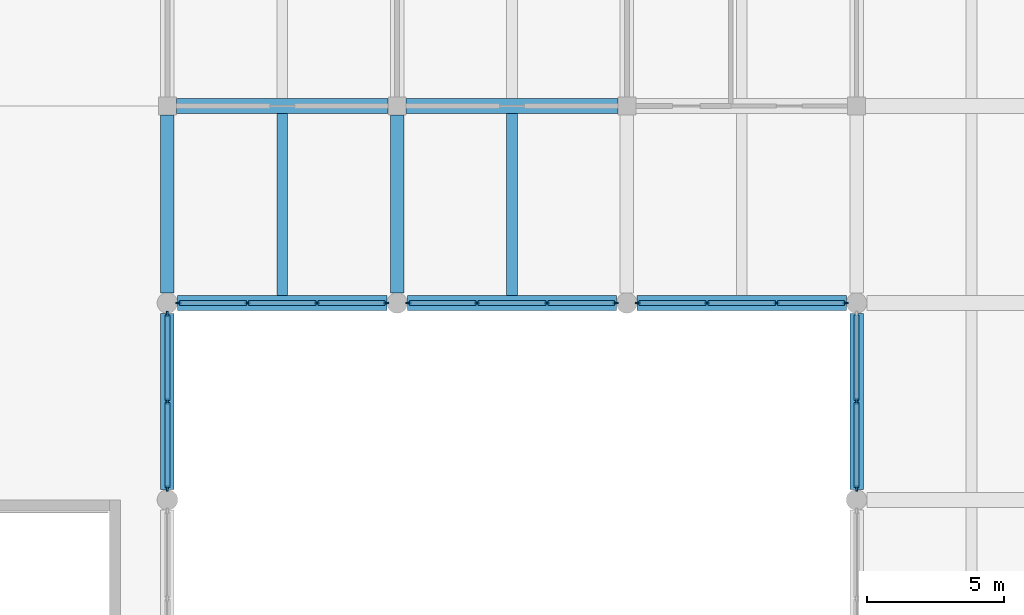
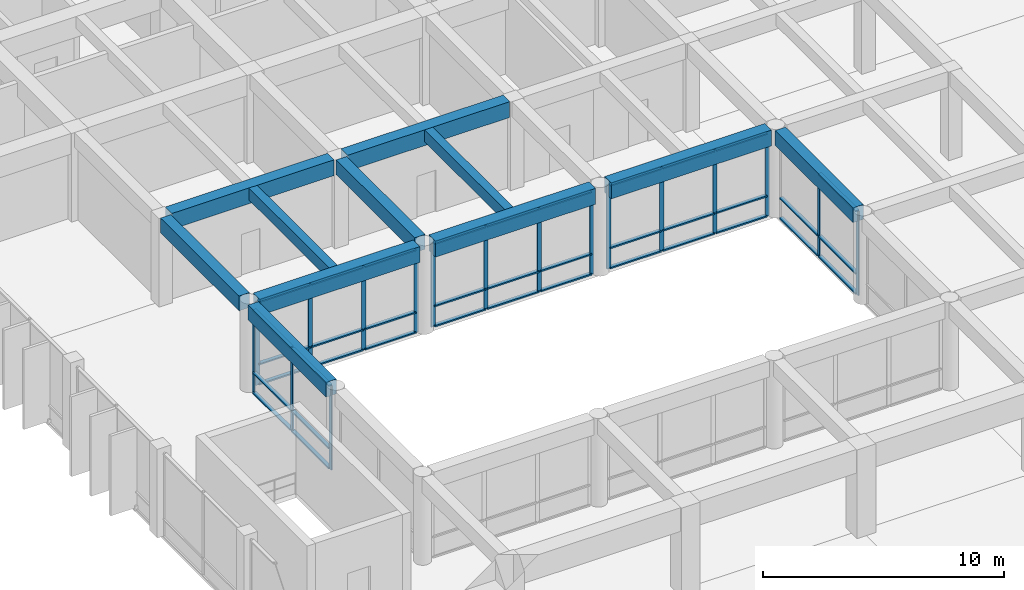
# One storey, part 17 of 40: 55 members, 11 beams, 5 elements without a shape of their own.
"""IFC4 building model written with IfcOpenShell, lengths in metres."""

from ifc_helpers import new_model, si_unit, direction, frame, origin, origin_2d, place, context, subcontext, project, spatial, rectangle, extrude, material, material_profile, profile_set, type_object, element, aggregate, save


model = new_model("IFC4")

# Units and contexts
model_context = context("Model", 3, precision=1e-05, world=origin(), true_north=direction((0.0, 1.0)))
body_context = subcontext(model_context, "Body", "Model", "MODEL_VIEW")
ifc_project = project(units=[si_unit("LENGTHUNIT", "METRE"), si_unit("AREAUNIT", "SQUARE_METRE"), si_unit("VOLUMEUNIT", "CUBIC_METRE"), si_unit("PLANEANGLEUNIT", "RADIAN"), si_unit("MASSUNIT", "GRAM", prefix="KILO")], contexts=[model_context])

# Site, building, storey
site_placement = place(None, origin())
site = spatial("IfcSite", under=ifc_project, at=site_placement, CompositionType="ELEMENT")
building_placement = place(site_placement, origin())
building = spatial("IfcBuilding", under=site, at=building_placement, Name="Kenerak Square Central Library", CompositionType="ELEMENT")
storey_placement = place(building_placement, frame((0.0, 0.0, 14.39990234375)))
storey = spatial("IfcBuildingStorey", under=building, at=storey_placement, Name="L03", CompositionType="ELEMENT", Elevation=14.39990234375)

# Curtain wall, members
ifc_material_1 = material(Name="Intumescent fire-resisting glazing EI 60", Category="glass")
curtain_wall_type_1 = type_object("IfcCurtainWallType", Name="Curtain Wall CW-AT60-64x42 6450x4230", PredefinedType="USERDEFINED", material=ifc_material_1)
curtain_wall_1_placement = place(storey_placement, origin())
curtain_wall_1 = element("IfcCurtainWall", 1, at=curtain_wall_1_placement, inside=storey, type_object=curtain_wall_type_1, Name="Atrium Fire-Rated Glazed Screen CW-AT60-64x42 L03 0171", ObjectType="CURTAIN WALL", PredefinedType="USERDEFINED")
ifc_material_2 = material(Name="Anodised aluminium 6063-T6", Category="aluminium")
ifc_material_profile_1 = material_profile(ifc_material_2, rectangle(XDim=0.070068359375, YDim=0.199951171875, at=origin_2d()), Name="AL MULLION 70x200")
ifc_profile_set_1 = profile_set([ifc_material_profile_1], Name="Anodised aluminium 6063-T6")
member_type_1 = type_object("IfcMemberType", Name="Fire-Rated Glazing Mullion CM-05 70x200", PredefinedType="MULLION", material=ifc_profile_set_1)
member_1_placement = place(storey_placement, frame((100.39990234375, 67.610107421875, 0.0), z_axis=(0.0, 0.0, 1.0), x_axis=(-1.0, 0.0, 0.0)))
member_1 = element("IfcMember", 2, at=member_1_placement, type_object=member_type_1, Name="CW-AT60-64x42 Mullion 1", PredefinedType="MULLION", context=body_context, shape_type="SweptSolid", body=[
    extrude(rectangle(XDim=0.070068359375, YDim=0.199951171875, at=origin_2d()), origin(), (0.0, 0.0, 1.0), 4.22998046875),
])
member_2_placement = place(storey_placement, frame((100.39990234375, 70.800048828125, 0.0), z_axis=(0.0, 0.0, 1.0), x_axis=(-1.0, 0.0, 0.0)))
member_2 = element("IfcMember", 3, at=member_2_placement, type_object=member_type_1, Name="CW-AT60-64x42 Mullion 2", PredefinedType="MULLION", context=body_context, shape_type="SweptSolid", body=[
    extrude(rectangle(XDim=0.070068359375, YDim=0.199951171875, at=origin_2d()), origin(), (0.0, 0.0, 1.0), 4.22998046875),
])

curtain_wall_type_2 = type_object("IfcCurtainWallType", Name="Curtain Wall CW-AT60-76x42 7650x4230", PredefinedType="USERDEFINED", material=ifc_material_1)
curtain_wall_2_placement = place(storey_placement, origin())
curtain_wall_2 = element("IfcCurtainWall", 4, at=curtain_wall_2_placement, inside=storey, type_object=curtain_wall_type_2, Name="Atrium Fire-Rated Glazed Screen CW-AT60-76x42 L03 0172", ObjectType="CURTAIN WALL", PredefinedType="USERDEFINED")
member_3_placement = place(storey_placement, frame((99.989990234375, 74.39990234375, 0.0), z_axis=(0.0, 0.0, 1.0), x_axis=(0.0, -1.0, 0.0)))
member_3 = element("IfcMember", 5, at=member_3_placement, type_object=member_type_1, Name="CW-AT60-76x42 Mullion 1", PredefinedType="MULLION", context=body_context, shape_type="SweptSolid", body=[
    extrude(rectangle(XDim=0.070068359375, YDim=0.199951171875, at=origin_2d()), origin(), (0.0, 0.0, 1.0), 4.22998046875),
])
member_4_placement = place(storey_placement, frame((97.47509765625, 74.39990234375, 0.0), z_axis=(0.0, 0.0, 1.0), x_axis=(0.0, -1.0, 0.0)))
member_4 = element("IfcMember", 6, at=member_4_placement, type_object=member_type_1, Name="CW-AT60-76x42 Mullion 2", PredefinedType="MULLION", context=body_context, shape_type="SweptSolid", body=[
    extrude(rectangle(XDim=0.070068359375, YDim=0.199951171875, at=origin_2d()), origin(), (0.0, 0.0, 1.0), 4.22998046875),
])
member_5_placement = place(storey_placement, frame((94.925048828125, 74.39990234375, 0.0), z_axis=(0.0, 0.0, 1.0), x_axis=(0.0, -1.0, 0.0)))
member_5 = element("IfcMember", 7, at=member_5_placement, type_object=member_type_1, Name="CW-AT60-76x42 Mullion 3", PredefinedType="MULLION", context=body_context, shape_type="SweptSolid", body=[
    extrude(rectangle(XDim=0.070068359375, YDim=0.199951171875, at=origin_2d()), origin(), (0.0, 0.0, 1.0), 4.22998046875),
])
member_6_placement = place(storey_placement, frame((92.409912109375, 74.39990234375, 0.0), z_axis=(0.0, 0.0, 1.0), x_axis=(0.0, -1.0, 0.0)))
member_6 = element("IfcMember", 8, at=member_6_placement, type_object=member_type_1, Name="CW-AT60-76x42 Mullion 4", PredefinedType="MULLION", context=body_context, shape_type="SweptSolid", body=[
    extrude(rectangle(XDim=0.070068359375, YDim=0.199951171875, at=origin_2d()), origin(), (0.0, 0.0, 1.0), 4.22998046875),
])

curtain_wall_3_placement = place(storey_placement, origin())
curtain_wall_3 = element("IfcCurtainWall", 9, at=curtain_wall_3_placement, inside=storey, type_object=curtain_wall_type_2, Name="Atrium Fire-Rated Glazed Screen CW-AT60-76x42 L03 0173", ObjectType="CURTAIN WALL", PredefinedType="USERDEFINED")
member_7_placement = place(storey_placement, frame((91.590087890625, 74.39990234375, 0.0), z_axis=(0.0, 0.0, 1.0), x_axis=(0.0, -1.0, 0.0)))
member_7 = element("IfcMember", 10, at=member_7_placement, type_object=member_type_1, Name="CW-AT60-76x42 Mullion 1", PredefinedType="MULLION", context=body_context, shape_type="SweptSolid", body=[
    extrude(rectangle(XDim=0.070068359375, YDim=0.199951171875, at=origin_2d()), origin(), (0.0, 0.0, 1.0), 4.22998046875),
])
member_8_placement = place(storey_placement, frame((89.074951171875, 74.39990234375, 0.0), z_axis=(0.0, 0.0, 1.0), x_axis=(0.0, -1.0, 0.0)))
member_8 = element("IfcMember", 11, at=member_8_placement, type_object=member_type_1, Name="CW-AT60-76x42 Mullion 2", PredefinedType="MULLION", context=body_context, shape_type="SweptSolid", body=[
    extrude(rectangle(XDim=0.070068359375, YDim=0.199951171875, at=origin_2d()), origin(), (0.0, 0.0, 1.0), 4.22998046875),
])
member_9_placement = place(storey_placement, frame((86.52490234375, 74.39990234375, 0.0), z_axis=(0.0, 0.0, 1.0), x_axis=(0.0, -1.0, 0.0)))
member_9 = element("IfcMember", 12, at=member_9_placement, type_object=member_type_1, Name="CW-AT60-76x42 Mullion 3", PredefinedType="MULLION", context=body_context, shape_type="SweptSolid", body=[
    extrude(rectangle(XDim=0.070068359375, YDim=0.199951171875, at=origin_2d()), origin(), (0.0, 0.0, 1.0), 4.22998046875),
])
member_10_placement = place(storey_placement, frame((84.010009765625, 74.39990234375, 0.0), z_axis=(0.0, 0.0, 1.0), x_axis=(0.0, -1.0, 0.0)))
member_10 = element("IfcMember", 13, at=member_10_placement, type_object=member_type_1, Name="CW-AT60-76x42 Mullion 4", PredefinedType="MULLION", context=body_context, shape_type="SweptSolid", body=[
    extrude(rectangle(XDim=0.070068359375, YDim=0.199951171875, at=origin_2d()), origin(), (0.0, 0.0, 1.0), 4.22998046875),
])

curtain_wall_4_placement = place(storey_placement, origin())
curtain_wall_4 = element("IfcCurtainWall", 14, at=curtain_wall_4_placement, inside=storey, type_object=curtain_wall_type_2, Name="Atrium Fire-Rated Glazed Screen CW-AT60-76x42 L03 0174", ObjectType="CURTAIN WALL", PredefinedType="USERDEFINED")
member_11_placement = place(storey_placement, frame((83.18994140625, 74.39990234375, 0.0), z_axis=(0.0, 0.0, 1.0), x_axis=(0.0, -1.0, 0.0)))
member_11 = element("IfcMember", 15, at=member_11_placement, type_object=member_type_1, Name="CW-AT60-76x42 Mullion 1", PredefinedType="MULLION", context=body_context, shape_type="SweptSolid", body=[
    extrude(rectangle(XDim=0.070068359375, YDim=0.199951171875, at=origin_2d()), origin(), (0.0, 0.0, 1.0), 4.22998046875),
])
member_12_placement = place(storey_placement, frame((80.675048828125, 74.39990234375, 0.0), z_axis=(0.0, 0.0, 1.0), x_axis=(0.0, -1.0, 0.0)))
member_12 = element("IfcMember", 16, at=member_12_placement, type_object=member_type_1, Name="CW-AT60-76x42 Mullion 2", PredefinedType="MULLION", context=body_context, shape_type="SweptSolid", body=[
    extrude(rectangle(XDim=0.070068359375, YDim=0.199951171875, at=origin_2d()), origin(), (0.0, 0.0, 1.0), 4.22998046875),
])
member_13_placement = place(storey_placement, frame((78.125, 74.39990234375, 0.0), z_axis=(0.0, 0.0, 1.0), x_axis=(0.0, -1.0, 0.0)))
member_13 = element("IfcMember", 17, at=member_13_placement, type_object=member_type_1, Name="CW-AT60-76x42 Mullion 3", PredefinedType="MULLION", context=body_context, shape_type="SweptSolid", body=[
    extrude(rectangle(XDim=0.070068359375, YDim=0.199951171875, at=origin_2d()), origin(), (0.0, 0.0, 1.0), 4.22998046875),
])
member_14_placement = place(storey_placement, frame((75.610107421875, 74.39990234375, 0.0), z_axis=(0.0, 0.0, 1.0), x_axis=(0.0, -1.0, 0.0)))
member_14 = element("IfcMember", 18, at=member_14_placement, type_object=member_type_1, Name="CW-AT60-76x42 Mullion 4", PredefinedType="MULLION", context=body_context, shape_type="SweptSolid", body=[
    extrude(rectangle(XDim=0.070068359375, YDim=0.199951171875, at=origin_2d()), origin(), (0.0, 0.0, 1.0), 4.22998046875),
])

curtain_wall_5_placement = place(storey_placement, origin())
curtain_wall_5 = element("IfcCurtainWall", 19, at=curtain_wall_5_placement, inside=storey, type_object=curtain_wall_type_1, Name="Atrium Fire-Rated Glazed Screen CW-AT60-64x42 L03 0175", ObjectType="CURTAIN WALL", PredefinedType="USERDEFINED")
member_15_placement = place(storey_placement, frame((75.199951171875, 73.989990234375, 0.0), z_axis=(0.0, 0.0, 1.0), x_axis=(1.0, 0.0, 0.0)))
member_15 = element("IfcMember", 20, at=member_15_placement, type_object=member_type_1, Name="CW-AT60-64x42 Mullion 1", PredefinedType="MULLION", context=body_context, shape_type="SweptSolid", body=[
    extrude(rectangle(XDim=0.070068359375, YDim=0.199951171875, at=origin_2d()), origin(), (0.0, 0.0, 1.0), 4.22998046875),
])
member_16_placement = place(storey_placement, frame((75.199951171875, 70.800048828125, 0.0), z_axis=(0.0, 0.0, 1.0), x_axis=(1.0, 0.0, 0.0)))
member_16 = element("IfcMember", 21, at=member_16_placement, type_object=member_type_1, Name="CW-AT60-64x42 Mullion 2", PredefinedType="MULLION", context=body_context, shape_type="SweptSolid", body=[
    extrude(rectangle(XDim=0.070068359375, YDim=0.199951171875, at=origin_2d()), origin(), (0.0, 0.0, 1.0), 4.22998046875),
])
member_17_placement = place(storey_placement, frame((75.199951171875, 67.610107421875, 0.0), z_axis=(0.0, 0.0, 1.0), x_axis=(1.0, 0.0, 0.0)))
member_17 = element("IfcMember", 22, at=member_17_placement, type_object=member_type_1, Name="CW-AT60-64x42 Mullion 3", PredefinedType="MULLION", context=body_context, shape_type="SweptSolid", body=[
    extrude(rectangle(XDim=0.070068359375, YDim=0.199951171875, at=origin_2d()), origin(), (0.0, 0.0, 1.0), 4.22998046875),
])

# Member
ifc_material_profile_2 = material_profile(ifc_material_2, rectangle(XDim=0.179931640625, YDim=0.070068359375, at=origin_2d()), Name="AL TRANSOM 180x70")
ifc_profile_set_2 = profile_set([ifc_material_profile_2], Name="Anodised aluminium 6063-T6")
member_type_2 = type_object("IfcMemberType", Name="Fire-Rated Glazing Transom CT-15 180x70", PredefinedType="USERDEFINED", material=ifc_profile_set_2)
member_18_placement = place(storey_placement, frame((100.39990234375, 67.64501953125, 0.03515625), z_axis=(0.0, 1.0, 0.0), x_axis=(-1.0, 0.0, 0.0)))
member_18 = element("IfcMember", 23, at=member_18_placement, type_object=member_type_2, Name="CW-AT60-64x42 Transom 1.1", ObjectType="TRANSOM", PredefinedType="USERDEFINED", context=body_context, shape_type="SweptSolid", body=[
    extrude(rectangle(XDim=0.179931640625, YDim=0.070068359375, at=origin_2d()), origin(), (0.0, 0.0, 1.0), 3.119873046875),
])

member_19_placement = place(storey_placement, frame((100.39990234375, 67.64501953125, 1.050048828125), z_axis=(0.0, 1.0, 0.0), x_axis=(-1.0, 0.0, 0.0)))
member_19 = element("IfcMember", 24, at=member_19_placement, type_object=member_type_2, Name="CW-AT60-64x42 Transom 1.2", ObjectType="TRANSOM", PredefinedType="USERDEFINED", context=body_context, shape_type="SweptSolid", body=[
    extrude(rectangle(XDim=0.179931640625, YDim=0.070068359375, at=origin_2d()), origin(), (0.0, 0.0, 1.0), 3.119873046875),
])

member_20_placement = place(storey_placement, frame((100.39990234375, 67.64501953125, 4.195068359375), z_axis=(0.0, 1.0, 0.0), x_axis=(-1.0, 0.0, 0.0)))
member_20 = element("IfcMember", 25, at=member_20_placement, type_object=member_type_2, Name="CW-AT60-64x42 Transom 1.3", ObjectType="TRANSOM", PredefinedType="USERDEFINED", context=body_context, shape_type="SweptSolid", body=[
    extrude(rectangle(XDim=0.179931640625, YDim=0.070068359375, at=origin_2d()), origin(), (0.0, 0.0, 1.0), 3.119873046875),
])

member_21_placement = place(storey_placement, frame((100.39990234375, 70.8349609375, 0.03515625), z_axis=(0.0, 1.0, 0.0), x_axis=(-1.0, 0.0, 0.0)))
member_21 = element("IfcMember", 26, at=member_21_placement, type_object=member_type_2, Name="CW-AT60-64x42 Transom 2.1", ObjectType="TRANSOM", PredefinedType="USERDEFINED", context=body_context, shape_type="SweptSolid", body=[
    extrude(rectangle(XDim=0.179931640625, YDim=0.070068359375, at=origin_2d()), origin(), (0.0, 0.0, 1.0), 3.1201171875),
])

member_22_placement = place(storey_placement, frame((100.39990234375, 70.8349609375, 1.050048828125), z_axis=(0.0, 1.0, 0.0), x_axis=(-1.0, 0.0, 0.0)))
member_22 = element("IfcMember", 27, at=member_22_placement, type_object=member_type_2, Name="CW-AT60-64x42 Transom 2.2", ObjectType="TRANSOM", PredefinedType="USERDEFINED", context=body_context, shape_type="SweptSolid", body=[
    extrude(rectangle(XDim=0.179931640625, YDim=0.070068359375, at=origin_2d()), origin(), (0.0, 0.0, 1.0), 3.1201171875),
])

aggregate(curtain_wall_1, [member_1, member_2, member_18, member_19, member_20, member_21, member_22])

member_23_placement = place(storey_placement, frame((99.955078125, 74.39990234375, 0.03515625), z_axis=(-1.0, 0.0, 0.0), x_axis=(0.0, -1.0, 0.0)))
member_23 = element("IfcMember", 28, at=member_23_placement, type_object=member_type_2, Name="CW-AT60-76x42 Transom 1.1", ObjectType="TRANSOM", PredefinedType="USERDEFINED", context=body_context, shape_type="SweptSolid", body=[
    extrude(rectangle(XDim=0.179931640625, YDim=0.070068359375, at=origin_2d()), origin(), (0.0, 0.0, 1.0), 2.445068359375),
])

member_24_placement = place(storey_placement, frame((99.955078125, 74.39990234375, 1.050048828125), z_axis=(-1.0, 0.0, 0.0), x_axis=(0.0, -1.0, 0.0)))
member_24 = element("IfcMember", 29, at=member_24_placement, type_object=member_type_2, Name="CW-AT60-76x42 Transom 1.2", ObjectType="TRANSOM", PredefinedType="USERDEFINED", context=body_context, shape_type="SweptSolid", body=[
    extrude(rectangle(XDim=0.179931640625, YDim=0.070068359375, at=origin_2d()), origin(), (0.0, 0.0, 1.0), 2.445068359375),
])

member_25_placement = place(storey_placement, frame((99.955078125, 74.39990234375, 4.195068359375), z_axis=(-1.0, 0.0, 0.0), x_axis=(0.0, -1.0, 0.0)))
member_25 = element("IfcMember", 30, at=member_25_placement, type_object=member_type_2, Name="CW-AT60-76x42 Transom 1.3", ObjectType="TRANSOM", PredefinedType="USERDEFINED", context=body_context, shape_type="SweptSolid", body=[
    extrude(rectangle(XDim=0.179931640625, YDim=0.070068359375, at=origin_2d()), origin(), (0.0, 0.0, 1.0), 2.445068359375),
])

member_26_placement = place(storey_placement, frame((97.43994140625, 74.39990234375, 0.03515625), z_axis=(-1.0, 0.0, 0.0), x_axis=(0.0, -1.0, 0.0)))
member_26 = element("IfcMember", 31, at=member_26_placement, type_object=member_type_2, Name="CW-AT60-76x42 Transom 2.1", ObjectType="TRANSOM", PredefinedType="USERDEFINED", context=body_context, shape_type="SweptSolid", body=[
    extrude(rectangle(XDim=0.179931640625, YDim=0.070068359375, at=origin_2d()), origin(), (0.0, 0.0, 1.0), 2.47998046875),
])

member_27_placement = place(storey_placement, frame((97.43994140625, 74.39990234375, 1.050048828125), z_axis=(-1.0, 0.0, 0.0), x_axis=(0.0, -1.0, 0.0)))
member_27 = element("IfcMember", 32, at=member_27_placement, type_object=member_type_2, Name="CW-AT60-76x42 Transom 2.2", ObjectType="TRANSOM", PredefinedType="USERDEFINED", context=body_context, shape_type="SweptSolid", body=[
    extrude(rectangle(XDim=0.179931640625, YDim=0.070068359375, at=origin_2d()), origin(), (0.0, 0.0, 1.0), 2.47998046875),
])

member_28_placement = place(storey_placement, frame((97.43994140625, 74.39990234375, 4.195068359375), z_axis=(-1.0, 0.0, 0.0), x_axis=(0.0, -1.0, 0.0)))
member_28 = element("IfcMember", 33, at=member_28_placement, type_object=member_type_2, Name="CW-AT60-76x42 Transom 2.3", ObjectType="TRANSOM", PredefinedType="USERDEFINED", context=body_context, shape_type="SweptSolid", body=[
    extrude(rectangle(XDim=0.179931640625, YDim=0.070068359375, at=origin_2d()), origin(), (0.0, 0.0, 1.0), 2.47998046875),
])

member_29_placement = place(storey_placement, frame((94.889892578125, 74.39990234375, 0.03515625), z_axis=(-1.0, 0.0, 0.0), x_axis=(0.0, -1.0, 0.0)))
member_29 = element("IfcMember", 34, at=member_29_placement, type_object=member_type_2, Name="CW-AT60-76x42 Transom 3.1", ObjectType="TRANSOM", PredefinedType="USERDEFINED", context=body_context, shape_type="SweptSolid", body=[
    extrude(rectangle(XDim=0.179931640625, YDim=0.070068359375, at=origin_2d()), origin(), (0.0, 0.0, 1.0), 2.44482421875),
])

member_30_placement = place(storey_placement, frame((94.889892578125, 74.39990234375, 1.050048828125), z_axis=(-1.0, 0.0, 0.0), x_axis=(0.0, -1.0, 0.0)))
member_30 = element("IfcMember", 35, at=member_30_placement, type_object=member_type_2, Name="CW-AT60-76x42 Transom 3.2", ObjectType="TRANSOM", PredefinedType="USERDEFINED", context=body_context, shape_type="SweptSolid", body=[
    extrude(rectangle(XDim=0.179931640625, YDim=0.070068359375, at=origin_2d()), origin(), (0.0, 0.0, 1.0), 2.44482421875),
])

member_31_placement = place(storey_placement, frame((94.889892578125, 74.39990234375, 4.195068359375), z_axis=(-1.0, 0.0, 0.0), x_axis=(0.0, -1.0, 0.0)))
member_31 = element("IfcMember", 36, at=member_31_placement, type_object=member_type_2, Name="CW-AT60-76x42 Transom 3.3", ObjectType="TRANSOM", PredefinedType="USERDEFINED", context=body_context, shape_type="SweptSolid", body=[
    extrude(rectangle(XDim=0.179931640625, YDim=0.070068359375, at=origin_2d()), origin(), (0.0, 0.0, 1.0), 2.44482421875),
])

aggregate(curtain_wall_2, [member_3, member_4, member_5, member_6, member_23, member_24, member_25, member_26, member_27, member_28, member_29, member_30, member_31])

member_32_placement = place(storey_placement, frame((91.554931640625, 74.39990234375, 0.03515625), z_axis=(-1.0, 0.0, 0.0), x_axis=(0.0, -1.0, 0.0)))
member_32 = element("IfcMember", 37, at=member_32_placement, type_object=member_type_2, Name="CW-AT60-76x42 Transom 1.1", ObjectType="TRANSOM", PredefinedType="USERDEFINED", context=body_context, shape_type="SweptSolid", body=[
    extrude(rectangle(XDim=0.179931640625, YDim=0.070068359375, at=origin_2d()), origin(), (0.0, 0.0, 1.0), 2.44482421875),
])

member_33_placement = place(storey_placement, frame((91.554931640625, 74.39990234375, 1.050048828125), z_axis=(-1.0, 0.0, 0.0), x_axis=(0.0, -1.0, 0.0)))
member_33 = element("IfcMember", 38, at=member_33_placement, type_object=member_type_2, Name="CW-AT60-76x42 Transom 1.2", ObjectType="TRANSOM", PredefinedType="USERDEFINED", context=body_context, shape_type="SweptSolid", body=[
    extrude(rectangle(XDim=0.179931640625, YDim=0.070068359375, at=origin_2d()), origin(), (0.0, 0.0, 1.0), 2.44482421875),
])

member_34_placement = place(storey_placement, frame((91.554931640625, 74.39990234375, 4.195068359375), z_axis=(-1.0, 0.0, 0.0), x_axis=(0.0, -1.0, 0.0)))
member_34 = element("IfcMember", 39, at=member_34_placement, type_object=member_type_2, Name="CW-AT60-76x42 Transom 1.3", ObjectType="TRANSOM", PredefinedType="USERDEFINED", context=body_context, shape_type="SweptSolid", body=[
    extrude(rectangle(XDim=0.179931640625, YDim=0.070068359375, at=origin_2d()), origin(), (0.0, 0.0, 1.0), 2.44482421875),
])

member_35_placement = place(storey_placement, frame((89.0400390625, 74.39990234375, 0.03515625), z_axis=(-1.0, 0.0, 0.0), x_axis=(0.0, -1.0, 0.0)))
member_35 = element("IfcMember", 40, at=member_35_placement, type_object=member_type_2, Name="CW-AT60-76x42 Transom 2.1", ObjectType="TRANSOM", PredefinedType="USERDEFINED", context=body_context, shape_type="SweptSolid", body=[
    extrude(rectangle(XDim=0.179931640625, YDim=0.070068359375, at=origin_2d()), origin(), (0.0, 0.0, 1.0), 2.47998046875),
])

member_36_placement = place(storey_placement, frame((89.0400390625, 74.39990234375, 1.050048828125), z_axis=(-1.0, 0.0, 0.0), x_axis=(0.0, -1.0, 0.0)))
member_36 = element("IfcMember", 41, at=member_36_placement, type_object=member_type_2, Name="CW-AT60-76x42 Transom 2.2", ObjectType="TRANSOM", PredefinedType="USERDEFINED", context=body_context, shape_type="SweptSolid", body=[
    extrude(rectangle(XDim=0.179931640625, YDim=0.070068359375, at=origin_2d()), origin(), (0.0, 0.0, 1.0), 2.47998046875),
])

member_37_placement = place(storey_placement, frame((89.0400390625, 74.39990234375, 4.195068359375), z_axis=(-1.0, 0.0, 0.0), x_axis=(0.0, -1.0, 0.0)))
member_37 = element("IfcMember", 42, at=member_37_placement, type_object=member_type_2, Name="CW-AT60-76x42 Transom 2.3", ObjectType="TRANSOM", PredefinedType="USERDEFINED", context=body_context, shape_type="SweptSolid", body=[
    extrude(rectangle(XDim=0.179931640625, YDim=0.070068359375, at=origin_2d()), origin(), (0.0, 0.0, 1.0), 2.47998046875),
])

member_38_placement = place(storey_placement, frame((86.489990234375, 74.39990234375, 0.03515625), z_axis=(-1.0, 0.0, 0.0), x_axis=(0.0, -1.0, 0.0)))
member_38 = element("IfcMember", 43, at=member_38_placement, type_object=member_type_2, Name="CW-AT60-76x42 Transom 3.1", ObjectType="TRANSOM", PredefinedType="USERDEFINED", context=body_context, shape_type="SweptSolid", body=[
    extrude(rectangle(XDim=0.179931640625, YDim=0.070068359375, at=origin_2d()), origin(), (0.0, 0.0, 1.0), 2.445068359375),
])

member_39_placement = place(storey_placement, frame((86.489990234375, 74.39990234375, 1.050048828125), z_axis=(-1.0, 0.0, 0.0), x_axis=(0.0, -1.0, 0.0)))
member_39 = element("IfcMember", 44, at=member_39_placement, type_object=member_type_2, Name="CW-AT60-76x42 Transom 3.2", ObjectType="TRANSOM", PredefinedType="USERDEFINED", context=body_context, shape_type="SweptSolid", body=[
    extrude(rectangle(XDim=0.179931640625, YDim=0.070068359375, at=origin_2d()), origin(), (0.0, 0.0, 1.0), 2.445068359375),
])

member_40_placement = place(storey_placement, frame((86.489990234375, 74.39990234375, 4.195068359375), z_axis=(-1.0, 0.0, 0.0), x_axis=(0.0, -1.0, 0.0)))
member_40 = element("IfcMember", 45, at=member_40_placement, type_object=member_type_2, Name="CW-AT60-76x42 Transom 3.3", ObjectType="TRANSOM", PredefinedType="USERDEFINED", context=body_context, shape_type="SweptSolid", body=[
    extrude(rectangle(XDim=0.179931640625, YDim=0.070068359375, at=origin_2d()), origin(), (0.0, 0.0, 1.0), 2.445068359375),
])

aggregate(curtain_wall_3, [member_7, member_8, member_9, member_10, member_32, member_33, member_34, member_35, member_36, member_37, member_38, member_39, member_40])

member_41_placement = place(storey_placement, frame((83.155029296875, 74.39990234375, 0.03515625), z_axis=(-1.0, 0.0, 0.0), x_axis=(0.0, -1.0, 0.0)))
member_41 = element("IfcMember", 46, at=member_41_placement, type_object=member_type_2, Name="CW-AT60-76x42 Transom 1.1", ObjectType="TRANSOM", PredefinedType="USERDEFINED", context=body_context, shape_type="SweptSolid", body=[
    extrude(rectangle(XDim=0.179931640625, YDim=0.070068359375, at=origin_2d()), origin(), (0.0, 0.0, 1.0), 2.445068359375),
])

member_42_placement = place(storey_placement, frame((83.155029296875, 74.39990234375, 1.050048828125), z_axis=(-1.0, 0.0, 0.0), x_axis=(0.0, -1.0, 0.0)))
member_42 = element("IfcMember", 47, at=member_42_placement, type_object=member_type_2, Name="CW-AT60-76x42 Transom 1.2", ObjectType="TRANSOM", PredefinedType="USERDEFINED", context=body_context, shape_type="SweptSolid", body=[
    extrude(rectangle(XDim=0.179931640625, YDim=0.070068359375, at=origin_2d()), origin(), (0.0, 0.0, 1.0), 2.445068359375),
])

member_43_placement = place(storey_placement, frame((83.155029296875, 74.39990234375, 4.195068359375), z_axis=(-1.0, 0.0, 0.0), x_axis=(0.0, -1.0, 0.0)))
member_43 = element("IfcMember", 48, at=member_43_placement, type_object=member_type_2, Name="CW-AT60-76x42 Transom 1.3", ObjectType="TRANSOM", PredefinedType="USERDEFINED", context=body_context, shape_type="SweptSolid", body=[
    extrude(rectangle(XDim=0.179931640625, YDim=0.070068359375, at=origin_2d()), origin(), (0.0, 0.0, 1.0), 2.445068359375),
])

member_44_placement = place(storey_placement, frame((80.639892578125, 74.39990234375, 0.03515625), z_axis=(-1.0, 0.0, 0.0), x_axis=(0.0, -1.0, 0.0)))
member_44 = element("IfcMember", 49, at=member_44_placement, type_object=member_type_2, Name="CW-AT60-76x42 Transom 2.1", ObjectType="TRANSOM", PredefinedType="USERDEFINED", context=body_context, shape_type="SweptSolid", body=[
    extrude(rectangle(XDim=0.179931640625, YDim=0.070068359375, at=origin_2d()), origin(), (0.0, 0.0, 1.0), 2.47998046875),
])

member_45_placement = place(storey_placement, frame((80.639892578125, 74.39990234375, 1.050048828125), z_axis=(-1.0, 0.0, 0.0), x_axis=(0.0, -1.0, 0.0)))
member_45 = element("IfcMember", 50, at=member_45_placement, type_object=member_type_2, Name="CW-AT60-76x42 Transom 2.2", ObjectType="TRANSOM", PredefinedType="USERDEFINED", context=body_context, shape_type="SweptSolid", body=[
    extrude(rectangle(XDim=0.179931640625, YDim=0.070068359375, at=origin_2d()), origin(), (0.0, 0.0, 1.0), 2.47998046875),
])

member_46_placement = place(storey_placement, frame((80.639892578125, 74.39990234375, 4.195068359375), z_axis=(-1.0, 0.0, 0.0), x_axis=(0.0, -1.0, 0.0)))
member_46 = element("IfcMember", 51, at=member_46_placement, type_object=member_type_2, Name="CW-AT60-76x42 Transom 2.3", ObjectType="TRANSOM", PredefinedType="USERDEFINED", context=body_context, shape_type="SweptSolid", body=[
    extrude(rectangle(XDim=0.179931640625, YDim=0.070068359375, at=origin_2d()), origin(), (0.0, 0.0, 1.0), 2.47998046875),
])

member_47_placement = place(storey_placement, frame((78.090087890625, 74.39990234375, 0.03515625), z_axis=(-1.0, 0.0, 0.0), x_axis=(0.0, -1.0, 0.0)))
member_47 = element("IfcMember", 52, at=member_47_placement, type_object=member_type_2, Name="CW-AT60-76x42 Transom 3.1", ObjectType="TRANSOM", PredefinedType="USERDEFINED", context=body_context, shape_type="SweptSolid", body=[
    extrude(rectangle(XDim=0.179931640625, YDim=0.070068359375, at=origin_2d()), origin(), (0.0, 0.0, 1.0), 2.445068359375),
])

member_48_placement = place(storey_placement, frame((78.090087890625, 74.39990234375, 1.050048828125), z_axis=(-1.0, 0.0, 0.0), x_axis=(0.0, -1.0, 0.0)))
member_48 = element("IfcMember", 53, at=member_48_placement, type_object=member_type_2, Name="CW-AT60-76x42 Transom 3.2", ObjectType="TRANSOM", PredefinedType="USERDEFINED", context=body_context, shape_type="SweptSolid", body=[
    extrude(rectangle(XDim=0.179931640625, YDim=0.070068359375, at=origin_2d()), origin(), (0.0, 0.0, 1.0), 2.445068359375),
])

member_49_placement = place(storey_placement, frame((78.090087890625, 74.39990234375, 4.195068359375), z_axis=(-1.0, 0.0, 0.0), x_axis=(0.0, -1.0, 0.0)))
member_49 = element("IfcMember", 54, at=member_49_placement, type_object=member_type_2, Name="CW-AT60-76x42 Transom 3.3", ObjectType="TRANSOM", PredefinedType="USERDEFINED", context=body_context, shape_type="SweptSolid", body=[
    extrude(rectangle(XDim=0.179931640625, YDim=0.070068359375, at=origin_2d()), origin(), (0.0, 0.0, 1.0), 2.445068359375),
])

aggregate(curtain_wall_4, [member_11, member_12, member_13, member_14, member_41, member_42, member_43, member_44, member_45, member_46, member_47, member_48, member_49])

member_50_placement = place(storey_placement, frame((75.199951171875, 73.955078125, 0.03515625), z_axis=(0.0, -1.0, 0.0), x_axis=(1.0, 0.0, 0.0)))
member_50 = element("IfcMember", 55, at=member_50_placement, type_object=member_type_2, Name="CW-AT60-64x42 Transom 1.1", ObjectType="TRANSOM", PredefinedType="USERDEFINED", context=body_context, shape_type="SweptSolid", body=[
    extrude(rectangle(XDim=0.179931640625, YDim=0.070068359375, at=origin_2d()), origin(), (0.0, 0.0, 1.0), 3.1201171875),
])

member_51_placement = place(storey_placement, frame((75.199951171875, 73.955078125, 1.050048828125), z_axis=(0.0, -1.0, 0.0), x_axis=(1.0, 0.0, 0.0)))
member_51 = element("IfcMember", 56, at=member_51_placement, type_object=member_type_2, Name="CW-AT60-64x42 Transom 1.2", ObjectType="TRANSOM", PredefinedType="USERDEFINED", context=body_context, shape_type="SweptSolid", body=[
    extrude(rectangle(XDim=0.179931640625, YDim=0.070068359375, at=origin_2d()), origin(), (0.0, 0.0, 1.0), 3.1201171875),
])

member_52_placement = place(storey_placement, frame((75.199951171875, 73.955078125, 4.195068359375), z_axis=(0.0, -1.0, 0.0), x_axis=(1.0, 0.0, 0.0)))
member_52 = element("IfcMember", 57, at=member_52_placement, type_object=member_type_2, Name="CW-AT60-64x42 Transom 1.3", ObjectType="TRANSOM", PredefinedType="USERDEFINED", context=body_context, shape_type="SweptSolid", body=[
    extrude(rectangle(XDim=0.179931640625, YDim=0.070068359375, at=origin_2d()), origin(), (0.0, 0.0, 1.0), 3.1201171875),
])

member_53_placement = place(storey_placement, frame((75.199951171875, 70.764892578125, 0.03515625), z_axis=(0.0, -1.0, 0.0), x_axis=(1.0, 0.0, 0.0)))
member_53 = element("IfcMember", 58, at=member_53_placement, type_object=member_type_2, Name="CW-AT60-64x42 Transom 2.1", ObjectType="TRANSOM", PredefinedType="USERDEFINED", context=body_context, shape_type="SweptSolid", body=[
    extrude(rectangle(XDim=0.179931640625, YDim=0.070068359375, at=origin_2d()), origin(), (0.0, 0.0, 1.0), 3.119873046875),
])

member_54_placement = place(storey_placement, frame((75.199951171875, 70.764892578125, 1.050048828125), z_axis=(0.0, -1.0, 0.0), x_axis=(1.0, 0.0, 0.0)))
member_54 = element("IfcMember", 59, at=member_54_placement, type_object=member_type_2, Name="CW-AT60-64x42 Transom 2.2", ObjectType="TRANSOM", PredefinedType="USERDEFINED", context=body_context, shape_type="SweptSolid", body=[
    extrude(rectangle(XDim=0.179931640625, YDim=0.070068359375, at=origin_2d()), origin(), (0.0, 0.0, 1.0), 3.119873046875),
])

member_55_placement = place(storey_placement, frame((75.199951171875, 70.764892578125, 4.195068359375), z_axis=(0.0, -1.0, 0.0), x_axis=(1.0, 0.0, 0.0)))
member_55 = element("IfcMember", 60, at=member_55_placement, type_object=member_type_2, Name="CW-AT60-64x42 Transom 2.3", ObjectType="TRANSOM", PredefinedType="USERDEFINED", context=body_context, shape_type="SweptSolid", body=[
    extrude(rectangle(XDim=0.179931640625, YDim=0.070068359375, at=origin_2d()), origin(), (0.0, 0.0, 1.0), 3.119873046875),
])

aggregate(curtain_wall_5, [member_15, member_16, member_17, member_50, member_51, member_52, member_53, member_54, member_55])

# Beams
ifc_material_3 = material(Name="Concrete C40/50", Category="concrete")
ifc_material_profile_3 = material_profile(ifc_material_3, rectangle(XDim=0.550048828125, YDim=0.800048828125, at=origin_2d()), Name="RC 550x800")
ifc_profile_set_3 = profile_set([ifc_material_profile_3], Name="Concrete C40/50")
beam_type_1 = type_object("IfcBeamType", Name="Primary Reading Beam B-04 RC 550x800 C40/50", PredefinedType="BEAM", material=ifc_profile_set_3)
beam_1_placement = place(storey_placement, frame((75.574951171875, 74.39990234375, 4.080078125), z_axis=(1.0, 0.0, 0.0), x_axis=(0.0, 1.0, 0.0)))
element("IfcBeam", 61, at=beam_1_placement, inside=storey, type_object=beam_type_1, Name="Beam B-04 L03 1427", PredefinedType="BEAM", context=body_context, shape_type="SweptSolid", body=[
    extrude(rectangle(XDim=0.550048828125, YDim=0.800048828125, at=origin_2d()), origin(), (0.0, 0.0, 1.0), 7.650146484375),
])
for number, where, z_axis, x_axis, name in (
    (62, (83.97509765625, 74.39990234375, 4.080078125), (1.0, 0.0, 0.0), (0.0, 1.0, 0.0), "Beam B-04 L03 1428"),
    (63, (92.375, 74.39990234375, 4.080078125), (1.0, 0.0, 0.0), (0.0, 1.0, 0.0), "Beam B-04 L03 1429"),
):
    element("IfcBeam", number, at=place(storey_placement, frame(where, z_axis=z_axis, x_axis=x_axis)), inside=storey, type_object=beam_type_1, Name=name, PredefinedType="BEAM", context=body_context, shape_type="SweptSolid", body=[
        extrude(rectangle(XDim=0.550048828125, YDim=0.800048828125, at=origin_2d()), origin(), (0.0, 0.0, 1.0), 7.64990234375),
    ])
for number, where, z_axis, x_axis, name in (
    (64, (75.52490234375, 81.60009765625, 4.080078125), (1.0, 0.0, 0.0), (0.0, 1.0, 0.0), "Beam B-04 L03 1431"),
    (65, (83.925048828125, 81.60009765625, 4.080078125), (1.0, 0.0, 0.0), (0.0, 1.0, 0.0), "Beam B-04 L03 1432"),
):
    element("IfcBeam", number, at=place(storey_placement, frame(where, z_axis=z_axis, x_axis=x_axis)), inside=storey, type_object=beam_type_1, Name=name, PredefinedType="BEAM", context=body_context, shape_type="SweptSolid", body=[
        extrude(rectangle(XDim=0.550048828125, YDim=0.800048828125, at=origin_2d()), origin(), (0.0, 0.0, 1.0), 7.75),
    ])
ifc_material_profile_4 = material_profile(ifc_material_3, rectangle(XDim=0.39990234375, YDim=0.60009765625, at=origin_2d()), Name="RC 400x600")
ifc_profile_set_4 = profile_set([ifc_material_profile_4], Name="Concrete C40/50")
beam_type_2 = type_object("IfcBeamType", Name="Secondary Floor Joist J-01 RC 400x600 C40/50", PredefinedType="JOIST", material=ifc_profile_set_4)
for number, where, z_axis, x_axis, name in (
    (66, (79.39990234375, 74.675048828125, 4.18017578125), (0.0, 1.0, 0.0), (-1.0, 0.0, 0.0), "Joist J-01 L03 1512"),
    (67, (87.800048828125, 74.675048828125, 4.18017578125), (0.0, 1.0, 0.0), (-1.0, 0.0, 0.0), "Joist J-01 L03 1516"),
):
    element("IfcBeam", number, at=place(storey_placement, frame(where, z_axis=z_axis, x_axis=x_axis)), inside=storey, type_object=beam_type_2, Name=name, PredefinedType="JOIST", context=body_context, shape_type="SweptSolid", body=[
        extrude(rectangle(XDim=0.39990234375, YDim=0.60009765625, at=origin_2d()), origin(), (0.0, 0.0, 1.0), 6.64990234375),
    ])
ifc_material_profile_5 = material_profile(ifc_material_3, rectangle(XDim=0.5, YDim=0.75, at=origin_2d()), Name="RC 500x750")
ifc_profile_set_5 = profile_set([ifc_material_profile_5], Name="Concrete C40/50")
beam_type_3 = type_object("IfcBeamType", Name="Transverse Frame Beam B-05 RC 500x750 C40/50", PredefinedType="BEAM", material=ifc_profile_set_5)
beam_2_placement = place(storey_placement, frame((75.199951171875, 67.574951171875, 4.10498046875), z_axis=(0.0, 1.0, 0.0), x_axis=(-1.0, 0.0, 0.0)))
element("IfcBeam", 68, at=beam_2_placement, inside=storey, type_object=beam_type_3, Name="Beam B-05 L03 1469", PredefinedType="BEAM", context=body_context, shape_type="SweptSolid", body=[
    extrude(rectangle(XDim=0.5, YDim=0.75, at=origin_2d()), origin(), (0.0, 0.0, 1.0), 6.449951171875),
])
for number, where, z_axis, x_axis, name in (
    (69, (75.199951171875, 74.77490234375, 4.10498046875), (0.0, 1.0, 0.0), (-1.0, 0.0, 0.0), "Beam B-05 L03 1470"),
    (70, (83.60009765625, 74.77490234375, 4.10498046875), (0.0, 1.0, 0.0), (-1.0, 0.0, 0.0), "Beam B-05 L03 1476"),
):
    element("IfcBeam", number, at=place(storey_placement, frame(where, z_axis=z_axis, x_axis=x_axis)), inside=storey, type_object=beam_type_3, Name=name, PredefinedType="BEAM", context=body_context, shape_type="SweptSolid", body=[
        extrude(rectangle(XDim=0.5, YDim=0.75, at=origin_2d()), origin(), (0.0, 0.0, 1.0), 6.5),
    ])
beam_3_placement = place(storey_placement, frame((100.39990234375, 67.574951171875, 4.10498046875), z_axis=(0.0, 1.0, 0.0), x_axis=(-1.0, 0.0, 0.0)))
element("IfcBeam", 71, at=beam_3_placement, inside=storey, type_object=beam_type_3, Name="Beam B-05 L03 1489", PredefinedType="BEAM", context=body_context, shape_type="SweptSolid", body=[
    extrude(rectangle(XDim=0.5, YDim=0.75, at=origin_2d()), origin(), (0.0, 0.0, 1.0), 6.449951171875),
])

save(model, "model.ifc")
